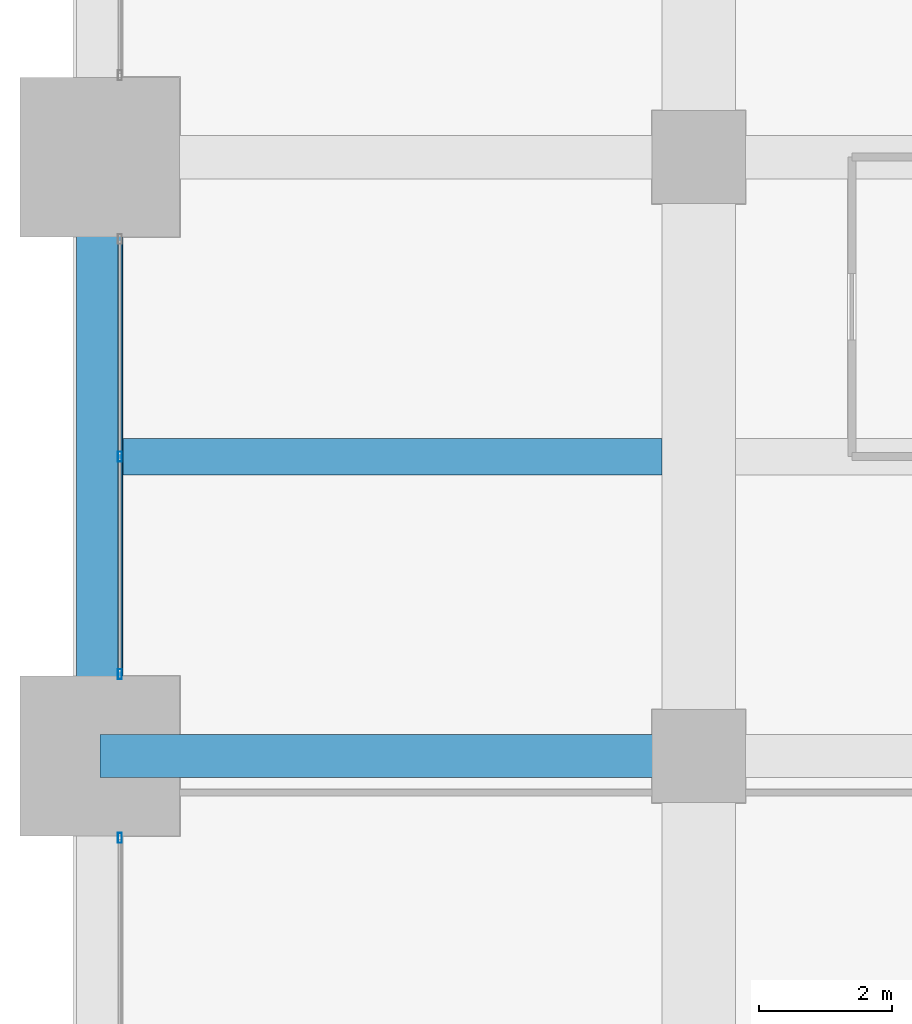
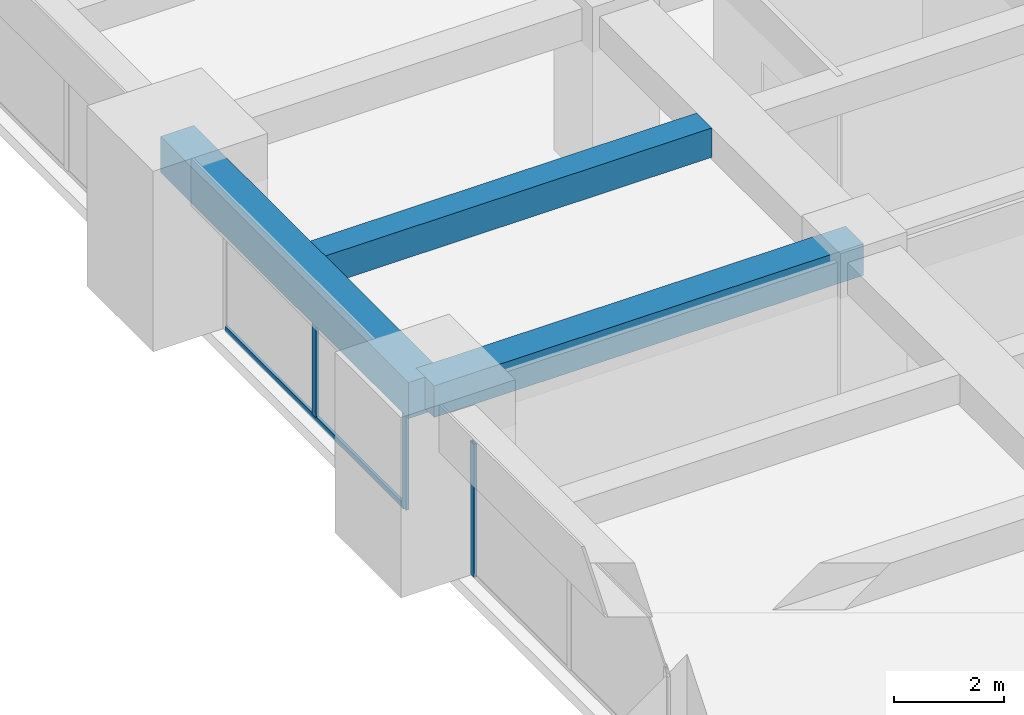
# One storey, part 9 of 33: 4 members, 3 beams, 2 elements without a shape of their own.
"""IFC4 building model written with IfcOpenShell, lengths in metres."""

import ifcopenshell
import ifcopenshell.guid

model = None  # the IFC model being written
_history = None  # IfcOwnerHistory: only IFC2X3 demands one
_inside = {}  # id of a spatial element -> (the spatial element, [elements in it])
_under = {}  # id of a project, library or spatial element -> (it, [spatial elements below it])
_declared = {}  # id of a project -> (the project, [libraries it declares])
_typed = {}  # id of a type object -> (the type object, [elements of that type])
_made_of = {}  # id of a material, layer set ... -> (it, [elements and type objects made of it])


def new_model(schema):
    """Start an empty IFC model of exactly this schema.

    Asked for "IFC4X3", IfcOpenShell would pick the latest addendum, in which some entities
    have other attributes; the version numbers below select the first issue.
    IFC2X3 requires an IfcOwnerHistory on every rooted entity: one is made here for all.
    """
    global model, _history
    if schema == "IFC4X3":
        model = ifcopenshell.file(schema_version=(4, 3, 0, 0))
    else:
        model = ifcopenshell.file(schema=schema)
    _inside.clear()
    _under.clear()
    _declared.clear()
    _typed.clear()
    _made_of.clear()
    _history = None
    if model.schema == "IFC2X3":
        org = make("IfcOrganization", Name="unknown")
        user = make(
            "IfcPersonAndOrganization",
            ThePerson=make("IfcPerson", FamilyName="unknown"),
            TheOrganization=org,
        )
        app = make(
            "IfcApplication",
            ApplicationDeveloper=org,
            Version="unknown",
            ApplicationFullName="unknown",
            ApplicationIdentifier="unknown",
        )
        _history = make(
            "IfcOwnerHistory",
            OwningUser=user,
            OwningApplication=app,
            ChangeAction="ADDED",
            CreationDate=0,
        )
    return model


def make(cls, **values):
    """One entity of the class cls with the attributes given. An attribute that is None is left unset."""
    return model.create_entity(
        cls, **{name: value for name, value in values.items() if value is not None}
    )


def rooted(cls, **values):
    """An entity with a GlobalId (a new one), such as an element, a storey or a relation."""
    return make(cls, GlobalId=ifcopenshell.guid.new(), OwnerHistory=_history, **values)


def si_unit(unit_type, name, prefix=None):
    """IfcSIUnit, for example si_unit("LENGTHUNIT", "METRE", prefix="MILLI")."""
    return make("IfcSIUnit", UnitType=unit_type, Prefix=prefix, Name=name)


def assignment(units):
    """IfcUnitAssignment: the units of a project."""
    return None if units is None else make("IfcUnitAssignment", Units=units)


def point(xyz):
    """IfcCartesianPoint."""
    return None if xyz is None else make("IfcCartesianPoint", Coordinates=xyz)


def direction(xyz):
    """IfcDirection."""
    return None if xyz is None else make("IfcDirection", DirectionRatios=xyz)


def frame(location, z_axis=None, x_axis=None):
    """IfcAxis2Placement3D, a coordinate frame: its origin and axes. An axis left out is left unset."""
    return make(
        "IfcAxis2Placement3D",
        Location=point(location),
        Axis=direction(z_axis),
        RefDirection=direction(x_axis),
    )


def frame_2d(location, x_axis=None):
    """IfcAxis2Placement2D, a coordinate frame in the plane: its origin and x axis."""
    return make(
        "IfcAxis2Placement2D", Location=point(location), RefDirection=direction(x_axis)
    )


def origin():
    """The frame at (0, 0, 0) with its axes left unset."""
    return frame((0.0, 0.0, 0.0))


def origin_2d():
    """The frame at (0, 0) in the plane with its x axis left unset."""
    return frame_2d((0.0, 0.0))


def place(relative_to, where):
    """IfcLocalPlacement: puts the frame where relative to a parent placement (None: the world)."""
    return make(
        "IfcLocalPlacement", PlacementRelTo=relative_to, RelativePlacement=where
    )


def context(
    kind, dimensions, precision=None, world=None, true_north=None, identifier=None
):
    """IfcGeometricRepresentationContext, for example the 3D "Model" context."""
    return make(
        "IfcGeometricRepresentationContext",
        ContextIdentifier=identifier,
        ContextType=kind,
        CoordinateSpaceDimension=dimensions,
        Precision=precision,
        WorldCoordinateSystem=world,
        TrueNorth=true_north,
    )


def subcontext(parent, identifier, kind, view, scale=None):
    """IfcGeometricRepresentationSubContext, for example "Body" below "Model"."""
    return make(
        "IfcGeometricRepresentationSubContext",
        ContextIdentifier=identifier,
        ContextType=kind,
        ParentContext=parent,
        TargetScale=scale,
        TargetView=view,
    )


def project(units=None, contexts=None):
    """IfcProject with its units and contexts."""
    return rooted(
        "IfcProject",
        Name="project",
        RepresentationContexts=contexts,
        UnitsInContext=assignment(units),
    )


def spatial(cls, under=None, at=None, **own):
    """A site, building, storey or space (cls), placed at a placement, below another one or the project."""
    s = rooted(cls, ObjectPlacement=at, **own)
    if under is not None:
        _under.setdefault(under.id(), (under, []))[1].append(s)
    return s


def profile(cls, at=None, kind="AREA", **sizes):
    """A parametric profile (cls). Its sizes go by their IFC names, for example OverallWidth=200.0."""
    return make(cls, ProfileType=kind, Position=at, **sizes)


def rectangle(**sizes):
    """IfcRectangleProfileDef."""
    return profile("IfcRectangleProfileDef", **sizes)


def hollow_rectangle(**sizes):
    """IfcRectangleHollowProfileDef."""
    return profile("IfcRectangleHollowProfileDef", **sizes)


def extrude(swept, where, along, depth):
    """IfcExtrudedAreaSolid: the profile swept, set in the frame where, extruded along a direction by depth."""
    return make(
        "IfcExtrudedAreaSolid",
        SweptArea=swept,
        Position=where,
        ExtrudedDirection=direction(along),
        Depth=depth,
    )


def shape(context_of_items, identifier, shape_type, items):
    """IfcShapeRepresentation: the items that make up one representation, for example the "Body"."""
    return make(
        "IfcShapeRepresentation",
        ContextOfItems=context_of_items,
        RepresentationIdentifier=identifier,
        RepresentationType=shape_type,
        Items=items,
    )


def material(Name=None, Category=None):
    """IfcMaterial."""
    return make("IfcMaterial", Name=Name, Category=Category)


def material_profile(
    of_material, cross_section, Name=None, Category=None, Priority=None
):
    """IfcMaterialProfile: a cross section and its material."""
    return make(
        "IfcMaterialProfile",
        Name=Name,
        Material=of_material,
        Profile=cross_section,
        Priority=Priority,
        Category=Category,
    )


def profile_set(profiles, Name=None, composite=None):
    """IfcMaterialProfileSet."""
    return make(
        "IfcMaterialProfileSet",
        Name=Name,
        MaterialProfiles=profiles,
        CompositeProfile=composite,
    )


def made_of(thing, what):
    """Note that an element or type object is made of a material, layer set ...; save() writes the relation."""
    if what is not None:
        _made_of.setdefault(what.id(), (what, []))[1].append(thing)
    return thing


def type_object(cls, material=None, **own):
    """A type object (cls), such as IfcWallType, which elements share."""
    return made_of(rooted(cls, **own), material)


def element(
    cls,
    number,
    at=None,
    inside=None,
    cuts=None,
    type_object=None,
    material=None,
    context=None,
    identifier="Body",
    shape_type=None,
    held_by="IfcProductDefinitionShape",
    body=None,
    shapes=None,
    **own,
):
    """One element of the class cls, such as IfcWall. Its Tag is "e" and its number.

    at: its placement. inside: the storey or other place that contains it. cuts: it is an
    opening in that element (IfcRelVoidsElement). A single representation is given by context,
    identifier, shape_type and body (its items); several are given by shapes. held_by: the class
    of the entity that holds the representations. save() writes the other relations.
    """
    e = rooted(cls, Tag="e%d" % number, ObjectPlacement=at, **own)
    if body is not None:
        shapes = [shape(context, identifier, shape_type, body)]
    if shapes is not None:
        e.Representation = make(held_by, Representations=shapes)
    if inside is not None:
        _inside.setdefault(inside.id(), (inside, []))[1].append(e)
    if cuts is not None:
        rooted(
            "IfcRelVoidsElement", RelatingBuildingElement=cuts, RelatedOpeningElement=e
        )
    if type_object is not None:
        _typed.setdefault(type_object.id(), (type_object, []))[1].append(e)
    return made_of(e, material)


def aggregate(whole, parts):
    """IfcRelAggregates: a whole, such as a stair, and the parts it consists of."""
    return rooted("IfcRelAggregates", RelatingObject=whole, RelatedObjects=parts)


def save(model, path):
    """Write the relations noted so far, then the file.

    IfcRelAggregates (storeys below a building ...), IfcRelContainedInSpatialStructure (elements
    in a storey), IfcRelDefinesByType, IfcRelAssociatesMaterial and IfcRelDeclares: one each for
    every whole, place, type object, material and project.
    """
    for whole, parts in _under.values():
        aggregate(whole, parts)
    for where, things in _inside.values():
        rooted(
            "IfcRelContainedInSpatialStructure",
            RelatedElements=things,
            RelatingStructure=where,
        )
    for kind, things in _typed.values():
        rooted("IfcRelDefinesByType", RelatedObjects=things, RelatingType=kind)
    for what, things in _made_of.values():
        rooted("IfcRelAssociatesMaterial", RelatedObjects=things, RelatingMaterial=what)
    for by, libraries in _declared.values():
        rooted("IfcRelDeclares", RelatingContext=by, RelatedDefinitions=libraries)
    model.write(path)


model = new_model("IFC4")

# Units and contexts
model_context = context("Model", 3, precision=1e-05, world=origin(), true_north=direction((0.0, 1.0)))
body_context = subcontext(model_context, "Body", "Model", "MODEL_VIEW")
ifc_project = project(units=[si_unit("LENGTHUNIT", "METRE"), si_unit("AREAUNIT", "SQUARE_METRE"), si_unit("VOLUMEUNIT", "CUBIC_METRE"), si_unit("PLANEANGLEUNIT", "RADIAN"), si_unit("MASSUNIT", "GRAM", prefix="KILO")], contexts=[model_context])

# Site, building, storey
site_placement = place(None, origin())
site = spatial("IfcSite", under=ifc_project, at=site_placement, CompositionType="ELEMENT")
building_placement = place(site_placement, origin())
building = spatial("IfcBuilding", under=site, at=building_placement, Name="Zorevar Civic Tower", CompositionType="ELEMENT")
storey_placement = place(building_placement, frame((0.0, 0.0, 210.199951171875)))
storey = spatial("IfcBuildingStorey", under=building, at=storey_placement, Name="L51", CompositionType="ELEMENT", Elevation=210.199951171875)

# Beams
ifc_material_1 = material(Name="Concrete C50/60", Category="concrete")
ifc_material_profile_1 = material_profile(ifc_material_1, rectangle(XDim=0.550048828125, YDim=0.64990234375, at=origin_2d()), Name="RC 550x650")
ifc_profile_set_1 = profile_set([ifc_material_profile_1], Name="Concrete C50/60")
beam_type_1 = type_object("IfcBeamType", Name="Beam RC 550x650", PredefinedType="BEAM", material=ifc_profile_set_1)
beam_1_placement = place(storey_placement, frame((0.35009765625, 22.5, 3.425048828125), z_axis=(1.0, 0.0, 0.0), x_axis=(0.0, 1.0, 0.0)))
element("IfcBeam", 1, at=beam_1_placement, inside=storey, type_object=beam_type_1, Name="Secondary beam L52", PredefinedType="BEAM", context=body_context, shape_type="SweptSolid", body=[
    extrude(rectangle(XDim=0.550048828125, YDim=0.64990234375, at=origin_2d()), origin(), (0.0, 0.0, 1.0), 8.099853515625),
])
ifc_material_2 = material(Name="Concrete C50/60", Category="concrete")
ifc_material_profile_2 = material_profile(ifc_material_2, rectangle(XDim=0.64990234375, YDim=0.699951171875, at=origin_2d()), Name="RC 650x700")
ifc_profile_set_2 = profile_set([ifc_material_profile_2], Name="Concrete C50/60")
beam_type_2 = type_object("IfcBeamType", Name="Beam RC 650x700", PredefinedType="BEAM", material=ifc_profile_set_2)
beam_2_placement = place(storey_placement, frame((0.0, 18.0, 3.400146484375), z_axis=(1.0, 0.0, 0.0), x_axis=(0.0, 1.0, 0.0)))
element("IfcBeam", 2, at=beam_2_placement, inside=storey, type_object=beam_type_2, Name="Girder L52", PredefinedType="BEAM", context=body_context, shape_type="SweptSolid", body=[
    extrude(rectangle(XDim=0.64990234375, YDim=0.699951171875, at=origin_2d()), origin(), (0.0, 0.0, 1.0), 9.0),
])

# Curtain wall, member
ifc_material_3 = material(Name="Dark grey solar-control glass in black aluminium frame", Category="aluminium")
curtain_wall_type = type_object("IfcCurtainWallType", Name="Curtain wall CW4 high zone", PredefinedType="NOTDEFINED", material=ifc_material_3)
curtain_wall_1_placement = place(storey_placement, origin())
curtain_wall_1 = element("IfcCurtainWall", 3, at=curtain_wall_1_placement, inside=storey, type_object=curtain_wall_type, Name="CW4 L51", PredefinedType="NOTDEFINED")
ifc_material_4 = material(Name="Aluminium, black anodised", Category="aluminium")
ifc_material_profile_3 = material_profile(ifc_material_4, hollow_rectangle(XDim=0.06005859375, YDim=0.14990234375, WallThickness=0.00390625, at=origin_2d()), Name="AL 150x60x4")
ifc_profile_set_3 = profile_set([ifc_material_profile_3], Name="Aluminium, black anodised")
member_type_1 = type_object("IfcMemberType", Name="CW4 mullion AL 150x60x4", PredefinedType="MULLION", material=ifc_profile_set_3)
member_1_placement = place(storey_placement, frame((0.300048828125, 16.77001953125, 0.0), z_axis=(0.0, 0.0, 1.0), x_axis=(-1.0, 0.0, 0.0)))
member_1 = element("IfcMember", 4, at=member_1_placement, type_object=member_type_1, Name="CW4 mullion 3", PredefinedType="MULLION", context=body_context, shape_type="SweptSolid", body=[
    extrude(hollow_rectangle(XDim=0.06005859375, YDim=0.14990234375, WallThickness=0.00390625, at=origin_2d()), origin(), (0.0, 0.0, 1.0), 2.949951171875),
])
aggregate(curtain_wall_1, [member_1])

# Curtain wall, members
curtain_wall_2_placement = place(storey_placement, origin())
curtain_wall_2 = element("IfcCurtainWall", 5, at=curtain_wall_2_placement, inside=storey, type_object=curtain_wall_type, Name="CW4 L51", PredefinedType="NOTDEFINED")
member_2_placement = place(storey_placement, frame((0.300048828125, 19.22998046875, 0.0), z_axis=(0.0, 0.0, 1.0), x_axis=(-1.0, 0.0, 0.0)))
member_2 = element("IfcMember", 6, at=member_2_placement, type_object=member_type_1, Name="CW4 mullion 1", PredefinedType="MULLION", context=body_context, shape_type="SweptSolid", body=[
    extrude(hollow_rectangle(XDim=0.06005859375, YDim=0.14990234375, WallThickness=0.00390625, at=origin_2d()), origin(), (0.0, 0.0, 1.0), 2.949951171875),
])
member_3_placement = place(storey_placement, frame((0.300048828125, 22.5, 0.06005859375), z_axis=(0.0, 0.0, 1.0), x_axis=(-1.0, 0.0, 0.0)))
member_3 = element("IfcMember", 7, at=member_3_placement, type_object=member_type_1, Name="CW4 mullion 2", PredefinedType="MULLION", context=body_context, shape_type="SweptSolid", body=[
    extrude(hollow_rectangle(XDim=0.06005859375, YDim=0.14990234375, WallThickness=0.00390625, at=origin_2d()), origin(), (0.0, 0.0, 1.0), 2.889892578125),
])
ifc_material_5 = material(Name="Aluminium, black anodised", Category="aluminium")
ifc_material_profile_4 = material_profile(ifc_material_5, hollow_rectangle(XDim=0.06005859375, YDim=0.1201171875, WallThickness=0.0029296875, at=origin_2d()), Name="AL 120x60x3")
ifc_profile_set_4 = profile_set([ifc_material_profile_4], Name="Aluminium, black anodised")
member_type_2 = type_object("IfcMemberType", Name="CW4 transom AL 120x60x3", PredefinedType="USERDEFINED", material=ifc_profile_set_4)
member_4_placement = place(storey_placement, frame((0.300048828125, 19.260009765625, 0.030029296875), z_axis=(0.0, 1.0, 0.0), x_axis=(-1.0, 0.0, 0.0)))
member_4 = element("IfcMember", 8, at=member_4_placement, type_object=member_type_2, Name="CW4 sill transom", ObjectType="TRANSOM", PredefinedType="USERDEFINED", context=body_context, shape_type="SweptSolid", body=[
    extrude(hollow_rectangle(XDim=0.06005859375, YDim=0.1201171875, WallThickness=0.0029296875, at=origin_2d()), origin(), (0.0, 0.0, 1.0), 6.47998046875),
])
aggregate(curtain_wall_2, [member_2, member_3, member_4])

# Beam
ifc_material_6 = material(Name="Concrete C50/60", Category="concrete")
ifc_material_profile_5 = material_profile(ifc_material_6, rectangle(XDim=0.699951171875, YDim=0.800048828125, at=origin_2d()), Name="RC 700x800")
ifc_profile_set_5 = profile_set([ifc_material_profile_5], Name="Concrete C50/60")
beam_type_3 = type_object("IfcBeamType", Name="Edge beam RC 700x800", PredefinedType="SPANDREL", material=ifc_profile_set_5)
beam_3_placement = place(storey_placement, frame((0.0, 18.0, 3.35009765625), z_axis=(0.0, 1.0, 0.0), x_axis=(-1.0, 0.0, 0.0)))
element("IfcBeam", 9, at=beam_3_placement, inside=storey, type_object=beam_type_3, Name="Edge beam L52", PredefinedType="SPANDREL", context=body_context, shape_type="SweptSolid", body=[
    extrude(rectangle(XDim=0.699951171875, YDim=0.800048828125, at=origin_2d()), origin(), (0.0, 0.0, 1.0), 9.0),
])

save(model, "model.ifc")
